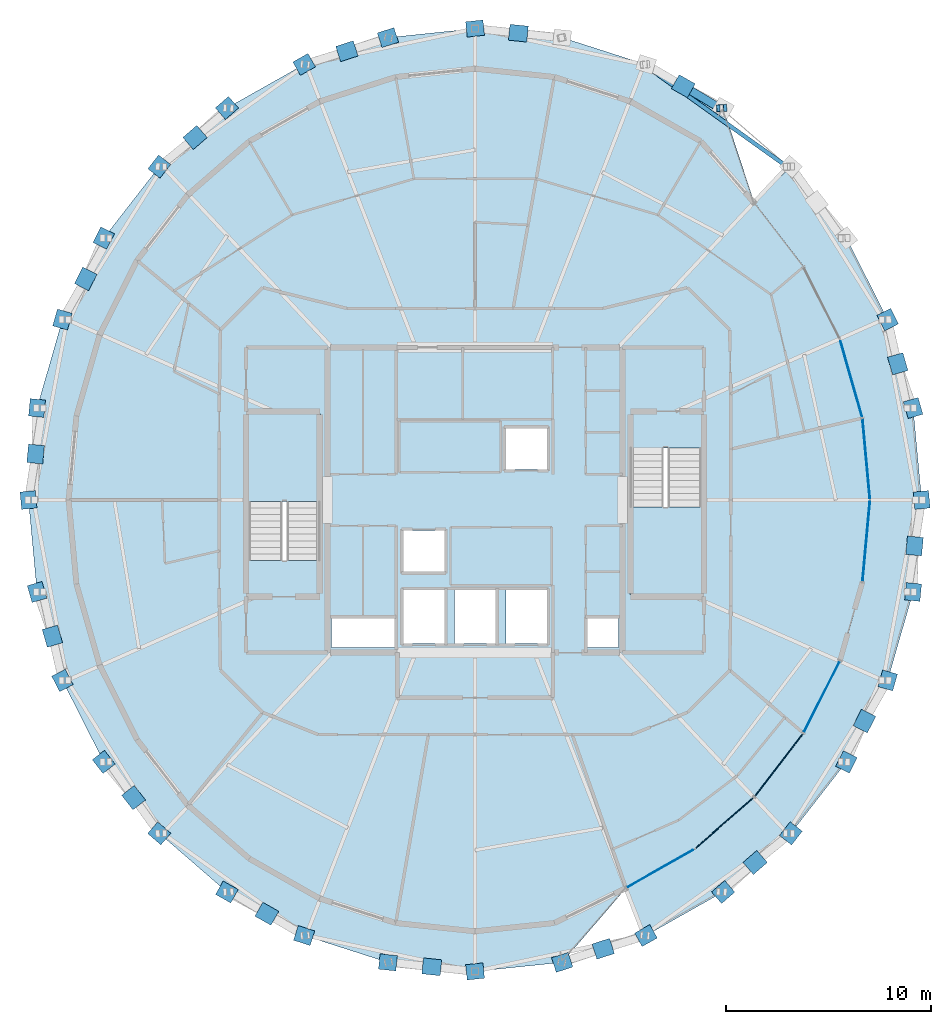
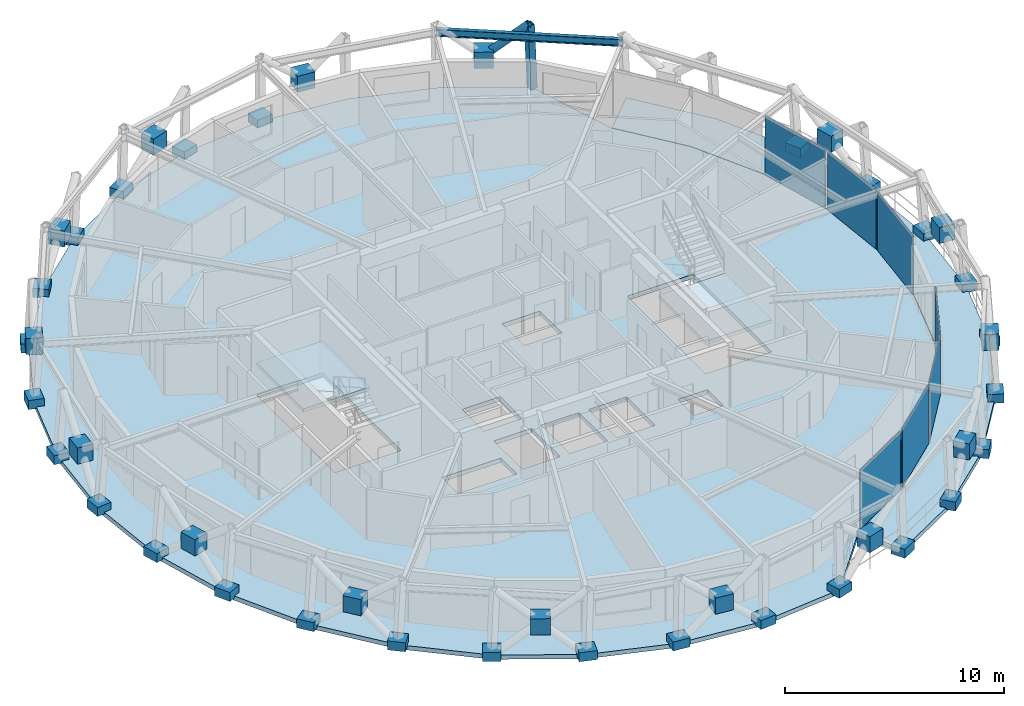
# One storey, part 9 of 15: 49 plates, 4 slabs, 2 members, 1 beam, 4 elements without a shape of their own.
"""IFC4 building model written with IfcOpenShell, lengths in metres."""

from ifc_helpers import new_model, si_unit, direction, frame, origin, origin_2d, place, context, subcontext, project, spatial, polyline, rectangle, hollow_rectangle, hollow_circle, i_section, outline, extrude, material, layer, layer_set, material_profile, profile_set, type_object, element, aggregate, save


model = new_model("IFC4")

# Units and contexts
model_context = context("Model", 3, precision=1e-05, world=origin(), true_north=direction((0.0, 1.0)))
body_context = subcontext(model_context, "Body", "Model", "MODEL_VIEW")
ifc_project = project(units=[si_unit("LENGTHUNIT", "METRE"), si_unit("AREAUNIT", "SQUARE_METRE"), si_unit("VOLUMEUNIT", "CUBIC_METRE"), si_unit("PLANEANGLEUNIT", "RADIAN"), si_unit("MASSUNIT", "GRAM", prefix="KILO")], contexts=[model_context])

# Site, building, storey
site_placement = place(None, origin())
site = spatial("IfcSite", under=ifc_project, at=site_placement, CompositionType="ELEMENT")
building_placement = place(site_placement, origin())
building = spatial("IfcBuilding", under=site, at=building_placement, Name="Veldorina Hangang Commons", CompositionType="ELEMENT")
storey_placement = place(building_placement, frame((0.0, 0.0, 265.199951171875)))
storey = spatial("IfcBuildingStorey", under=building, at=storey_placement, Name="L69", CompositionType="ELEMENT", Elevation=265.199951171875)

# Beam
ifc_material_1 = material(Name="Steel SM355-TMC", Category="steel")
ifc_material_profile_1 = material_profile(ifc_material_1, i_section(OverallWidth=0.199951171875, OverallDepth=0.39990234375, WebThickness=0.008056640625, FlangeThickness=0.012939453125, FilletRadius=0.012939453125, at=origin_2d()), Name="H-400x200x8x13")
ifc_profile_set_1 = profile_set([ifc_material_profile_1], Name="Steel SM355-TMC")
beam_type = type_object("IfcBeamType", Name="BM-RB400", PredefinedType="BEAM", material=ifc_profile_set_1)
beam_placement = place(storey_placement, frame((47.239013671875, 40.262451171875, 3.16015625), z_axis=(-0.814213450629, 0.580565635234, 0.0), x_axis=(-0.580565635234, -0.814213450629, 0.0)))
element("IfcBeam", 1, at=beam_placement, inside=storey, type_object=beam_type, Name="L69 perimeter hoop ring beam 04", PredefinedType="BEAM", context=body_context, shape_type="SweptSolid", body=[
    extrude(i_section(OverallWidth=0.199951171875, OverallDepth=0.39990234375, WebThickness=0.008056640625, FlangeThickness=0.012939453125, FilletRadius=0.012939453125, at=origin_2d()), origin(), (0.0, 0.0, 1.0), 8.587158203125),
])

# Members
ifc_material_profile_2 = material_profile(ifc_material_1, hollow_circle(Radius=0.199951171875, WallThickness=0.02001953125, at=origin_2d()), Name="CHS-400x20")
ifc_profile_set_2 = profile_set([ifc_material_profile_2], Name="Steel SM355-TMC")
member_type_1 = type_object("IfcMemberType", Name="DG-CHS400", PredefinedType="BRACE", material=ifc_profile_set_2)
member_1_placement = place(storey_placement, frame((42.162109375, 44.194091796875, 1.808837890625), z_axis=(0.651282743022, -0.389882339624, 0.651016551165), x_axis=(0.513635975997, 0.858008207514, 0.0)))
element("IfcMember", 2, at=member_1_placement, inside=storey, type_object=member_type_1, Name="L69 split perimeter diagrid upper brace 06", PredefinedType="BRACE", context=body_context, shape_type="SweptSolid", body=[
    extrude(hollow_circle(Radius=0.199951171875, WallThickness=0.02001953125, at=origin_2d()), origin(), (0.0, 0.0, 1.0), 2.75146484375),
])
ifc_material_profile_3 = material_profile(ifc_material_1, hollow_rectangle(XDim=0.35009765625, YDim=0.35009765625, WallThickness=0.01611328125, at=origin_2d()), Name="SHS-350x350x16")
ifc_profile_set_3 = profile_set([ifc_material_profile_3], Name="Steel SM355-TMC")
member_type_2 = type_object("IfcMemberType", Name="STR-SHS350", PredefinedType="STRUT", material=ifc_profile_set_3)
member_2_placement = place(storey_placement, frame((44.109375, 43.13134765625, 0.0), z_axis=(-0.043090113968, -0.002777821812, 0.999067327954), x_axis=(0.064331872556, -0.997928559654, 0.0)))
element("IfcMember", 3, at=member_2_placement, inside=storey, type_object=member_type_2, Name="L69 perimeter ring node post 05", PredefinedType="STRUT", context=body_context, shape_type="SweptSolid", body=[
    extrude(hollow_rectangle(XDim=0.35009765625, YDim=0.35009765625, WallThickness=0.01611328125, at=origin_2d()), origin(), (0.0, 0.0, 1.0), 3.603515625),
])

# Curtain wall, plates
ifc_material_2 = material(Name="Glass Low-E Selective", Category="glass")
ifc_layer_1 = layer(ifc_material_2, 0.179931640625)
ifc_layer_set_1 = layer_set([ifc_layer_1], Name="Glass Low-E Selective")
curtain_wall_type = type_object("IfcCurtainWallType", Name="CW-SYS-Z3", PredefinedType="NOTDEFINED", material=ifc_layer_set_1)
curtain_wall_1_placement = place(storey_placement, origin())
curtain_wall_1 = element("IfcCurtainWall", 4, at=curtain_wall_1_placement, inside=storey, type_object=curtain_wall_type, Name="L69 unitised curtain wall CW-L69-R1", PredefinedType="NOTDEFINED")
ifc_material_3 = material(Name="Glass Low-E Triple IGU", Category="glass")
ifc_layer_2 = layer(ifc_material_3, 0.0400390625)
ifc_layer_set_2 = layer_set([ifc_layer_2], Name="Glass Low-E Triple IGU")
plate_type_1 = type_object("IfcPlateType", Name="CW-PNL-VIS", PredefinedType="CURTAIN_PANEL", material=ifc_layer_set_2)
plate_1_placement = place(storey_placement, frame((41.043212890625, 6.01708984375, 0.01513671875), z_axis=(0.0, 0.0, 1.0), x_axis=(0.869469065578, 0.493987392555, 0.0)))
plate_1 = element("IfcPlate", 5, at=plate_1_placement, type_object=plate_type_1, Name="CW-L69-R1 facet 1 glazed vision panel", PredefinedType="CURTAIN_PANEL", context=body_context, shape_type="SweptSolid", body=[
    extrude(rectangle(XDim=3.65283203125, YDim=0.0400390625, at=origin_2d()), origin(), (0.0, 0.0, 1.0), 3.2900390625),
])
plate_2_placement = place(storey_placement, frame((44.169921875, 8.23779296875, 0.01513671875), z_axis=(0.0, 0.0, 1.0), x_axis=(0.753586338567, 0.657348941069, 0.0)))
plate_2 = element("IfcPlate", 6, at=plate_2_placement, type_object=plate_type_1, Name="CW-L69-R1 facet 2 glazed vision panel", PredefinedType="CURTAIN_PANEL", context=body_context, shape_type="SweptSolid", body=[
    extrude(rectangle(XDim=3.6962890625, YDim=0.0400390625, at=origin_2d()), origin(), (0.0, 0.0, 1.0), 3.2900390625),
])
plate_3_placement = place(storey_placement, frame((46.8291015625, 11.064453125, 0.01513671875), z_axis=(0.0, 0.0, 1.0), x_axis=(0.611126487654, 0.791532953254, 0.0)))
plate_3 = element("IfcPlate", 7, at=plate_3_placement, type_object=plate_type_1, Name="CW-L69-R1 facet 3 glazed vision panel", PredefinedType="CURTAIN_PANEL", context=body_context, shape_type="SweptSolid", body=[
    extrude(rectangle(XDim=3.74267578125, YDim=0.0400390625, at=origin_2d()), origin(), (0.0, 0.0, 1.0), 3.2900390625),
])
plate_4_placement = place(storey_placement, frame((48.91845703125, 14.387939453125, 0.01513671875), z_axis=(0.0, 0.0, 1.0), x_axis=(0.449287813798, 0.893387071975, 0.0)))
plate_4 = element("IfcPlate", 8, at=plate_4_placement, type_object=plate_type_1, Name="CW-L69-R1 facet 4 glazed vision panel", PredefinedType="CURTAIN_PANEL", context=body_context, shape_type="SweptSolid", body=[
    extrude(rectangle(XDim=3.784912109375, YDim=0.0400390625, at=origin_2d()), origin(), (0.0, 0.0, 1.0), 3.2900390625),
])
aggregate(curtain_wall_1, [plate_1, plate_2, plate_3, plate_4])

curtain_wall_2_placement = place(storey_placement, origin())
curtain_wall_2 = element("IfcCurtainWall", 9, at=curtain_wall_2_placement, inside=storey, type_object=curtain_wall_type, Name="L69 unitised curtain wall CW-L69-R2", PredefinedType="NOTDEFINED")
plate_5_placement = place(storey_placement, frame((51.09130859375, 22.00146484375, 0.01513671875), z_axis=(0.0, 0.0, 1.0), x_axis=(0.092266314894, 0.99573436575, 0.0)))
plate_5 = element("IfcPlate", 10, at=plate_5_placement, type_object=plate_type_1, Name="CW-L69-R2 facet 1 glazed vision panel", PredefinedType="CURTAIN_PANEL", context=body_context, shape_type="SweptSolid", body=[
    extrude(rectangle(XDim=3.834228515625, YDim=0.0400390625, at=origin_2d()), origin(), (0.0, 0.0, 1.0), 3.2900390625),
])
plate_6_placement = place(storey_placement, frame((51.09130859375, 25.99853515625, 0.01513671875), z_axis=(0.0, 0.0, 1.0), x_axis=(-0.092266314894, 0.99573436575, 0.0)))
plate_6 = element("IfcPlate", 11, at=plate_6_placement, type_object=plate_type_1, Name="CW-L69-R2 facet 2 glazed vision panel", PredefinedType="CURTAIN_PANEL", context=body_context, shape_type="SweptSolid", body=[
    extrude(rectangle(XDim=3.834228515625, YDim=0.0400390625, at=origin_2d()), origin(), (0.0, 0.0, 1.0), 3.2900390625),
])
plate_7_placement = place(storey_placement, frame((50.357666015625, 29.9189453125, 0.01513671875), z_axis=(0.0, 0.0, 1.0), x_axis=(-0.274429181428, 0.961607312982, 0.0)))
plate_7 = element("IfcPlate", 12, at=plate_7_placement, type_object=plate_type_1, Name="CW-L69-R2 facet 3 glazed vision panel", PredefinedType="CURTAIN_PANEL", context=body_context, shape_type="SweptSolid", body=[
    extrude(rectangle(XDim=3.817138671875, YDim=0.0400390625, at=origin_2d()), origin(), (0.0, 0.0, 1.0), 3.2900390625),
])
aggregate(curtain_wall_2, [plate_5, plate_6, plate_7])

# Plates
ifc_material_4 = material(Name="Steel SM460-TMC", Category="steel")
ifc_layer_3 = layer(ifc_material_4, 0.035888671875)
ifc_layer_set_3 = layer_set([ifc_layer_3], Name="Steel SM460-TMC")
plate_type_2 = type_object("IfcPlateType", Name="PL-STAR-36", PredefinedType="USERDEFINED", material=ifc_layer_set_3)
for number, where, z_axis, x_axis, name in (
    (13, (53.79638671875, 24.0, -0.08984375), (0.0, 0.0, 1.0), (-0.092891934994, 0.995676196569, 0.0), "L69 diagrid star-node gusset plate 00"),
    (14, (53.377685546875, 28.489013671875, -0.08984375), (0.0, 0.0, 1.0), (-0.27619095706, 0.961102780788, 0.0), "L69 diagrid star-node gusset plate 01"),
):
    element("IfcPlate", number, at=place(storey_placement, frame(where, z_axis=z_axis, x_axis=x_axis)), inside=storey, type_object=plate_type_2, Name=name, ObjectType="GUSSET PLATE", PredefinedType="USERDEFINED", context=body_context, shape_type="SweptSolid", body=[
        extrude(rectangle(XDim=0.85009765625, YDim=0.75, at=origin_2d()), origin(), (0.0, 0.0, 1.0), 0.5),
    ])
plate_8_placement = place(storey_placement, frame((52.627685546875, 30.646240234375, 1.351318359375), z_axis=(0.0, 0.0, 1.0), x_axis=(-0.27619095706, 0.961102780788, 0.0)))
element("IfcPlate", 15, at=plate_8_placement, inside=storey, type_object=plate_type_2, Name="L69 diagrid X-crossing star-node gusset plate 01", ObjectType="GUSSET PLATE", PredefinedType="USERDEFINED", context=body_context, shape_type="SweptSolid", body=[
    extrude(rectangle(XDim=0.89990234375, YDim=0.780029296875, at=origin_2d()), origin(), (0.0, 0.0, 1.0), 0.89990234375),
])
plate_9_placement = place(storey_placement, frame((52.13720703125, 32.80517578125, -0.08984375), z_axis=(0.0, 0.0, 1.0), x_axis=(-0.4517341537, 0.892152595906, 0.0)))
element("IfcPlate", 16, at=plate_9_placement, inside=storey, type_object=plate_type_2, Name="L69 diagrid star-node gusset plate 02", ObjectType="GUSSET PLATE", PredefinedType="USERDEFINED", context=body_context, shape_type="SweptSolid", body=[
    extrude(rectangle(XDim=0.85009765625, YDim=0.75, at=origin_2d()), origin(), (0.0, 0.0, 1.0), 0.5),
])
for number, where, z_axis, x_axis, name in (
    (17, (42.162109375, 44.194091796875, 1.35888671875), (0.0, 0.0, 1.0), (-0.870930926368, 0.491405455297, 0.0), "L69 diagrid X-crossing star-node gusset plate 05"),
    (18, (34.112548828125, 46.783447265625, 1.361572265625), (0.0, 0.0, 1.0), (-0.994638034319, 0.103417506668, 0.0), "L69 diagrid X-crossing star-node gusset plate 07"),
):
    element("IfcPlate", number, at=place(storey_placement, frame(where, z_axis=z_axis, x_axis=x_axis)), inside=storey, type_object=plate_type_2, Name=name, ObjectType="GUSSET PLATE", PredefinedType="USERDEFINED", context=body_context, shape_type="SweptSolid", body=[
        extrude(rectangle(XDim=0.89990234375, YDim=0.780029296875, at=origin_2d()), origin(), (0.0, 0.0, 1.0), 0.89990234375),
    ])
for number, where, z_axis, x_axis, name in (
    (19, (32.0, 47.009033203125, -0.08984375), (0.0, 0.0, 1.0), (-0.994638034319, -0.103417506668, 0.0), "L69 diagrid star-node gusset plate 08"),
    (20, (27.747802734375, 46.56689453125, -0.08984375), (0.0, 0.0, 1.0), (-0.952358546335, -0.30498065385, 0.0), "L69 diagrid star-node gusset plate 09"),
):
    element("IfcPlate", number, at=place(storey_placement, frame(where, z_axis=z_axis, x_axis=x_axis)), inside=storey, type_object=plate_type_2, Name=name, ObjectType="GUSSET PLATE", PredefinedType="USERDEFINED", context=body_context, shape_type="SweptSolid", body=[
        extrude(rectangle(XDim=0.85009765625, YDim=0.75, at=origin_2d()), origin(), (0.0, 0.0, 1.0), 0.5),
    ])
plate_10_placement = place(storey_placement, frame((25.7451171875, 45.90283203125, 1.360595703125), z_axis=(0.0, 0.0, 1.0), x_axis=(-0.952358546335, -0.30498065385, 0.0)))
element("IfcPlate", 21, at=plate_10_placement, inside=storey, type_object=plate_type_2, Name="L69 diagrid X-crossing star-node gusset plate 09", ObjectType="GUSSET PLATE", PredefinedType="USERDEFINED", context=body_context, shape_type="SweptSolid", body=[
    extrude(rectangle(XDim=0.89990234375, YDim=0.780029296875, at=origin_2d()), origin(), (0.0, 0.0, 1.0), 0.89990234375),
])
for number, where, z_axis, x_axis, name in (
    (22, (23.658935546875, 45.257568359375, -0.08984375), (0.0, 0.0, 1.0), (-0.870930926368, -0.491405455297, 0.0), "L69 diagrid star-node gusset plate 10"),
    (23, (19.890625, 43.13134765625, -0.08984375), (0.0, 0.0, 1.0), (-0.755819185983, -0.654780389215, 0.0), "L69 diagrid star-node gusset plate 11"),
):
    element("IfcPlate", number, at=place(storey_placement, frame(where, z_axis=z_axis, x_axis=x_axis)), inside=storey, type_object=plate_type_2, Name=name, ObjectType="GUSSET PLATE", PredefinedType="USERDEFINED", context=body_context, shape_type="SweptSolid", body=[
        extrude(rectangle(XDim=0.85009765625, YDim=0.75, at=origin_2d()), origin(), (0.0, 0.0, 1.0), 0.5),
    ])
plate_11_placement = place(storey_placement, frame((18.33203125, 41.69091796875, 1.35693359375), z_axis=(0.0, 0.0, 1.0), x_axis=(-0.755819185983, -0.654780389215, 0.0)))
element("IfcPlate", 24, at=plate_11_placement, inside=storey, type_object=plate_type_2, Name="L69 diagrid X-crossing star-node gusset plate 11", ObjectType="GUSSET PLATE", PredefinedType="USERDEFINED", context=body_context, shape_type="SweptSolid", body=[
    extrude(rectangle(XDim=0.89990234375, YDim=0.780029296875, at=origin_2d()), origin(), (0.0, 0.0, 1.0), 0.89990234375),
])
for number, where, z_axis, x_axis, name in (
    (25, (16.587646484375, 40.27001953125, -0.08984375), (0.0, 0.0, 1.0), (-0.613761724652, -0.789491320632, 0.0), "L69 diagrid star-node gusset plate 12"),
    (26, (13.876953125, 36.783203125, -0.08984375), (0.0, 0.0, 1.0), (-0.4517341537, -0.892152595906, 0.0), "L69 diagrid star-node gusset plate 13"),
):
    element("IfcPlate", number, at=place(storey_placement, frame(where, z_axis=z_axis, x_axis=x_axis)), inside=storey, type_object=plate_type_2, Name=name, ObjectType="GUSSET PLATE", PredefinedType="USERDEFINED", context=body_context, shape_type="SweptSolid", body=[
        extrude(rectangle(XDim=0.85009765625, YDim=0.75, at=origin_2d()), origin(), (0.0, 0.0, 1.0), 0.5),
    ])
plate_12_placement = place(storey_placement, frame((12.997802734375, 34.788818359375, 1.352783203125), z_axis=(0.0, 0.0, 1.0), x_axis=(-0.4517341537, -0.892152595906, 0.0)))
element("IfcPlate", 27, at=plate_12_placement, inside=storey, type_object=plate_type_2, Name="L69 diagrid X-crossing star-node gusset plate 13", ObjectType="GUSSET PLATE", PredefinedType="USERDEFINED", context=body_context, shape_type="SweptSolid", body=[
    extrude(rectangle(XDim=0.89990234375, YDim=0.780029296875, at=origin_2d()), origin(), (0.0, 0.0, 1.0), 0.89990234375),
])
for number, where, z_axis, x_axis, name in (
    (28, (11.86279296875, 32.80517578125, -0.08984375), (0.0, 0.0, 1.0), (-0.27619095706, -0.961102780788, 0.0), "L69 diagrid star-node gusset plate 14"),
    (29, (10.622314453125, 28.489013671875, -0.08984375), (0.0, 0.0, 1.0), (-0.092891934994, -0.995676196569, 0.0), "L69 diagrid star-node gusset plate 15"),
):
    element("IfcPlate", number, at=place(storey_placement, frame(where, z_axis=z_axis, x_axis=x_axis)), inside=storey, type_object=plate_type_2, Name=name, ObjectType="GUSSET PLATE", PredefinedType="USERDEFINED", context=body_context, shape_type="SweptSolid", body=[
        extrude(rectangle(XDim=0.85009765625, YDim=0.75, at=origin_2d()), origin(), (0.0, 0.0, 1.0), 0.5),
    ])
plate_13_placement = place(storey_placement, frame((10.552734375, 26.24365234375, 1.3505859375), z_axis=(0.0, 0.0, 1.0), x_axis=(-0.092891934994, -0.995676196569, 0.0)))
element("IfcPlate", 30, at=plate_13_placement, inside=storey, type_object=plate_type_2, Name="L69 diagrid X-crossing star-node gusset plate 15", ObjectType="GUSSET PLATE", PredefinedType="USERDEFINED", context=body_context, shape_type="SweptSolid", body=[
    extrude(rectangle(XDim=0.89990234375, YDim=0.780029296875, at=origin_2d()), origin(), (0.0, 0.0, 1.0), 0.89990234375),
])
for number, where, z_axis, x_axis, name in (
    (31, (10.20361328125, 24.0, -0.08984375), (0.0, 0.0, 1.0), (0.092891934994, -0.995676196569, 0.0), "L69 diagrid star-node gusset plate 16"),
    (32, (10.622314453125, 19.510986328125, -0.08984375), (0.0, 0.0, 1.0), (0.27619095706, -0.961102780788, 0.0), "L69 diagrid star-node gusset plate 17"),
):
    element("IfcPlate", number, at=place(storey_placement, frame(where, z_axis=z_axis, x_axis=x_axis)), inside=storey, type_object=plate_type_2, Name=name, ObjectType="GUSSET PLATE", PredefinedType="USERDEFINED", context=body_context, shape_type="SweptSolid", body=[
        extrude(rectangle(XDim=0.85009765625, YDim=0.75, at=origin_2d()), origin(), (0.0, 0.0, 1.0), 0.5),
    ])
plate_14_placement = place(storey_placement, frame((11.372314453125, 17.353759765625, 1.351318359375), z_axis=(0.0, 0.0, 1.0), x_axis=(0.27619095706, -0.961102780788, 0.0)))
element("IfcPlate", 33, at=plate_14_placement, inside=storey, type_object=plate_type_2, Name="L69 diagrid X-crossing star-node gusset plate 17", ObjectType="GUSSET PLATE", PredefinedType="USERDEFINED", context=body_context, shape_type="SweptSolid", body=[
    extrude(rectangle(XDim=0.89990234375, YDim=0.780029296875, at=origin_2d()), origin(), (0.0, 0.0, 1.0), 0.89990234375),
])
for number, where, z_axis, x_axis, name in (
    (34, (11.86279296875, 15.19482421875, -0.08984375), (0.0, 0.0, 1.0), (0.4517341537, -0.892152595906, 0.0), "L69 diagrid star-node gusset plate 18"),
    (35, (13.876953125, 11.216796875, -0.08984375), (0.0, 0.0, 1.0), (0.613761724652, -0.789491320632, 0.0), "L69 diagrid star-node gusset plate 19"),
):
    element("IfcPlate", number, at=place(storey_placement, frame(where, z_axis=z_axis, x_axis=x_axis)), inside=storey, type_object=plate_type_2, Name=name, ObjectType="GUSSET PLATE", PredefinedType="USERDEFINED", context=body_context, shape_type="SweptSolid", body=[
        extrude(rectangle(XDim=0.85009765625, YDim=0.75, at=origin_2d()), origin(), (0.0, 0.0, 1.0), 0.5),
    ])
plate_15_placement = place(storey_placement, frame((15.3349609375, 9.473388671875, 1.354736328125), z_axis=(0.0, 0.0, 1.0), x_axis=(0.613761724652, -0.789491320632, 0.0)))
element("IfcPlate", 36, at=plate_15_placement, inside=storey, type_object=plate_type_2, Name="L69 diagrid X-crossing star-node gusset plate 19", ObjectType="GUSSET PLATE", PredefinedType="USERDEFINED", context=body_context, shape_type="SweptSolid", body=[
    extrude(rectangle(XDim=0.89990234375, YDim=0.780029296875, at=origin_2d()), origin(), (0.0, 0.0, 1.0), 0.89990234375),
])
for number, where, z_axis, x_axis, name in (
    (37, (16.587646484375, 7.72998046875, -0.08984375), (0.0, 0.0, 1.0), (0.755819185983, -0.654780389215, 0.0), "L69 diagrid star-node gusset plate 20"),
    (38, (19.890625, 4.86865234375, -0.08984375), (0.0, 0.0, 1.0), (0.870930926368, -0.491405455297, 0.0), "L69 diagrid star-node gusset plate 21"),
):
    element("IfcPlate", number, at=place(storey_placement, frame(where, z_axis=z_axis, x_axis=x_axis)), inside=storey, type_object=plate_type_2, Name=name, ObjectType="GUSSET PLATE", PredefinedType="USERDEFINED", context=body_context, shape_type="SweptSolid", body=[
        extrude(rectangle(XDim=0.85009765625, YDim=0.75, at=origin_2d()), origin(), (0.0, 0.0, 1.0), 0.5),
    ])
plate_16_placement = place(storey_placement, frame((21.837890625, 3.805908203125, 1.35888671875), z_axis=(0.0, 0.0, 1.0), x_axis=(0.870930926368, -0.491405455297, 0.0)))
element("IfcPlate", 39, at=plate_16_placement, inside=storey, type_object=plate_type_2, Name="L69 diagrid X-crossing star-node gusset plate 21", ObjectType="GUSSET PLATE", PredefinedType="USERDEFINED", context=body_context, shape_type="SweptSolid", body=[
    extrude(rectangle(XDim=0.89990234375, YDim=0.780029296875, at=origin_2d()), origin(), (0.0, 0.0, 1.0), 0.89990234375),
])
for number, where, z_axis, x_axis, name in (
    (40, (23.658935546875, 2.742431640625, -0.08984375), (0.0, 0.0, 1.0), (0.952358546335, -0.30498065385, 0.0), "L69 diagrid star-node gusset plate 22"),
    (41, (27.747802734375, 1.43310546875, -0.08984375), (0.0, 0.0, 1.0), (0.994638034319, -0.103417506668, 0.0), "L69 diagrid star-node gusset plate 23"),
):
    element("IfcPlate", number, at=place(storey_placement, frame(where, z_axis=z_axis, x_axis=x_axis)), inside=storey, type_object=plate_type_2, Name=name, ObjectType="GUSSET PLATE", PredefinedType="USERDEFINED", context=body_context, shape_type="SweptSolid", body=[
        extrude(rectangle(XDim=0.85009765625, YDim=0.75, at=origin_2d()), origin(), (0.0, 0.0, 1.0), 0.5),
    ])
plate_17_placement = place(storey_placement, frame((29.887451171875, 1.216552734375, 1.361572265625), z_axis=(0.0, 0.0, 1.0), x_axis=(0.994638034319, -0.103417506668, 0.0)))
element("IfcPlate", 42, at=plate_17_placement, inside=storey, type_object=plate_type_2, Name="L69 diagrid X-crossing star-node gusset plate 23", ObjectType="GUSSET PLATE", PredefinedType="USERDEFINED", context=body_context, shape_type="SweptSolid", body=[
    extrude(rectangle(XDim=0.89990234375, YDim=0.780029296875, at=origin_2d()), origin(), (0.0, 0.0, 1.0), 0.89990234375),
])
for number, where, z_axis, x_axis, name in (
    (43, (32.0, 0.990966796875, -0.08984375), (0.0, 0.0, 1.0), (0.994638034319, 0.103417506668, 0.0), "L69 diagrid star-node gusset plate 24"),
    (44, (36.252197265625, 1.43310546875, -0.08984375), (0.0, 0.0, 1.0), (0.952358546335, 0.30498065385, 0.0), "L69 diagrid star-node gusset plate 25"),
):
    element("IfcPlate", number, at=place(storey_placement, frame(where, z_axis=z_axis, x_axis=x_axis)), inside=storey, type_object=plate_type_2, Name=name, ObjectType="GUSSET PLATE", PredefinedType="USERDEFINED", context=body_context, shape_type="SweptSolid", body=[
        extrude(rectangle(XDim=0.85009765625, YDim=0.75, at=origin_2d()), origin(), (0.0, 0.0, 1.0), 0.5),
    ])
plate_18_placement = place(storey_placement, frame((38.2548828125, 2.09716796875, 1.360595703125), z_axis=(0.0, 0.0, 1.0), x_axis=(0.952358546335, 0.30498065385, 0.0)))
element("IfcPlate", 45, at=plate_18_placement, inside=storey, type_object=plate_type_2, Name="L69 diagrid X-crossing star-node gusset plate 25", ObjectType="GUSSET PLATE", PredefinedType="USERDEFINED", context=body_context, shape_type="SweptSolid", body=[
    extrude(rectangle(XDim=0.89990234375, YDim=0.780029296875, at=origin_2d()), origin(), (0.0, 0.0, 1.0), 0.89990234375),
])
for number, where, z_axis, x_axis, name in (
    (46, (40.341064453125, 2.742431640625, -0.08984375), (0.0, 0.0, 1.0), (0.870930926368, 0.491405455297, 0.0), "L69 diagrid star-node gusset plate 26"),
    (47, (44.109375, 4.86865234375, -0.08984375), (0.0, 0.0, 1.0), (0.755819185983, 0.654780389215, 0.0), "L69 diagrid star-node gusset plate 27"),
):
    element("IfcPlate", number, at=place(storey_placement, frame(where, z_axis=z_axis, x_axis=x_axis)), inside=storey, type_object=plate_type_2, Name=name, ObjectType="GUSSET PLATE", PredefinedType="USERDEFINED", context=body_context, shape_type="SweptSolid", body=[
        extrude(rectangle(XDim=0.85009765625, YDim=0.75, at=origin_2d()), origin(), (0.0, 0.0, 1.0), 0.5),
    ])
plate_19_placement = place(storey_placement, frame((45.66796875, 6.30908203125, 1.35693359375), z_axis=(0.0, 0.0, 1.0), x_axis=(0.755819185983, 0.654780389215, 0.0)))
element("IfcPlate", 48, at=plate_19_placement, inside=storey, type_object=plate_type_2, Name="L69 diagrid X-crossing star-node gusset plate 27", ObjectType="GUSSET PLATE", PredefinedType="USERDEFINED", context=body_context, shape_type="SweptSolid", body=[
    extrude(rectangle(XDim=0.89990234375, YDim=0.780029296875, at=origin_2d()), origin(), (0.0, 0.0, 1.0), 0.89990234375),
])
for number, where, z_axis, x_axis, name in (
    (49, (47.412353515625, 7.72998046875, -0.08984375), (0.0, 0.0, 1.0), (0.613761724652, 0.789491320632, 0.0), "L69 diagrid star-node gusset plate 28"),
    (50, (50.123046875, 11.216796875, -0.08984375), (0.0, 0.0, 1.0), (0.4517341537, 0.892152595906, 0.0), "L69 diagrid star-node gusset plate 29"),
):
    element("IfcPlate", number, at=place(storey_placement, frame(where, z_axis=z_axis, x_axis=x_axis)), inside=storey, type_object=plate_type_2, Name=name, ObjectType="GUSSET PLATE", PredefinedType="USERDEFINED", context=body_context, shape_type="SweptSolid", body=[
        extrude(rectangle(XDim=0.85009765625, YDim=0.75, at=origin_2d()), origin(), (0.0, 0.0, 1.0), 0.5),
    ])
plate_20_placement = place(storey_placement, frame((51.002197265625, 13.211181640625, 1.352783203125), z_axis=(0.0, 0.0, 1.0), x_axis=(0.4517341537, 0.892152595906, 0.0)))
element("IfcPlate", 51, at=plate_20_placement, inside=storey, type_object=plate_type_2, Name="L69 diagrid X-crossing star-node gusset plate 29", ObjectType="GUSSET PLATE", PredefinedType="USERDEFINED", context=body_context, shape_type="SweptSolid", body=[
    extrude(rectangle(XDim=0.89990234375, YDim=0.780029296875, at=origin_2d()), origin(), (0.0, 0.0, 1.0), 0.89990234375),
])
for number, where, z_axis, x_axis, name in (
    (52, (52.13720703125, 15.19482421875, -0.08984375), (0.0, 0.0, 1.0), (0.27619095706, 0.961102780788, 0.0), "L69 diagrid star-node gusset plate 30"),
    (53, (53.377685546875, 19.510986328125, -0.08984375), (0.0, 0.0, 1.0), (0.092891934994, 0.995676196569, 0.0), "L69 diagrid star-node gusset plate 31"),
):
    element("IfcPlate", number, at=place(storey_placement, frame(where, z_axis=z_axis, x_axis=x_axis)), inside=storey, type_object=plate_type_2, Name=name, ObjectType="GUSSET PLATE", PredefinedType="USERDEFINED", context=body_context, shape_type="SweptSolid", body=[
        extrude(rectangle(XDim=0.85009765625, YDim=0.75, at=origin_2d()), origin(), (0.0, 0.0, 1.0), 0.5),
    ])
plate_21_placement = place(storey_placement, frame((53.447265625, 21.75634765625, 1.3505859375), z_axis=(0.0, 0.0, 1.0), x_axis=(0.092891934994, 0.995676196569, 0.0)))
element("IfcPlate", 54, at=plate_21_placement, inside=storey, type_object=plate_type_2, Name="L69 diagrid X-crossing star-node gusset plate 31", ObjectType="GUSSET PLATE", PredefinedType="USERDEFINED", context=body_context, shape_type="SweptSolid", body=[
    extrude(rectangle(XDim=0.89990234375, YDim=0.780029296875, at=origin_2d()), origin(), (0.0, 0.0, 1.0), 0.89990234375),
])

# Slabs
ifc_material_5 = material(Name="Concrete C40/50", Category="concrete")
ifc_layer_4 = layer(ifc_material_5, 0.239990234375)
ifc_layer_set_4 = layer_set([ifc_layer_4], Name="Concrete C40/50")
slab_type_1 = type_object("IfcSlabType", Name="SL-FLR-240", PredefinedType="FLOOR", material=ifc_layer_set_4)
slab_1_placement = place(storey_placement, frame((0.0, 0.0, -0.239990234375)))
element("IfcSlab", 55, at=slab_1_placement, inside=storey, type_object=slab_type_1, Name="L69 tower structural floor slab", PredefinedType="FLOOR", context=body_context, shape_type="SweptSolid", body=[
    extrude(outline(polyline([(51.2763671875, 24.0), (50.906005859375, 27.997314453125), (49.80908203125, 31.8408203125), (48.027587890625, 35.383056640625), (45.630615234375, 38.488037109375), (44.109375, 43.13134765625), (40.341064453125, 45.257568359375), (36.252197265625, 46.56689453125), (32.0, 47.009033203125), (27.747802734375, 46.56689453125), (23.658935546875, 45.257568359375), (19.890625, 43.13134765625), (16.587646484375, 40.27001953125), (13.876953125, 36.783203125), (11.86279296875, 32.80517578125), (10.622314453125, 28.489013671875), (10.20361328125, 24.0), (10.622314453125, 19.510986328125), (11.86279296875, 15.19482421875), (13.876953125, 11.216796875), (16.587646484375, 7.72998046875), (19.890625, 4.86865234375), (23.658935546875, 2.742431640625), (27.747802734375, 1.43310546875), (32.0, 0.990966796875), (36.252197265625, 1.43310546875), (39.376708984375, 5.070556640625), (42.70947265625, 6.9638671875), (45.630615234375, 9.511962890625), (48.027587890625, 12.616943359375), (49.80908203125, 16.1591796875), (50.906005859375, 20.002685546875), (51.2763671875, 24.0)]), holes=[polyline([(20.949951171875, 21.05810546875), (20.949951171875, 28.199951171875), (24.449951171875, 28.199951171875), (24.449951171875, 21.05810546875), (20.949951171875, 21.05810546875)]), polyline([(43.050048828125, 26.5419921875), (43.050048828125, 19.39990234375), (39.550048828125, 19.39990234375), (39.550048828125, 26.5419921875), (43.050048828125, 26.5419921875)]), polyline([(33.5, 27.5), (35.5, 27.5), (35.5, 25.5), (33.5, 25.5), (33.5, 27.5)]), polyline([(28.5, 22.5), (30.5, 22.5), (30.5, 20.5), (28.5, 20.5), (28.5, 22.5)]), polyline([(28.5, 19.60009765625), (30.5, 19.60009765625), (30.5, 17.0), (28.5, 17.0), (28.5, 19.60009765625)]), polyline([(31.0, 19.60009765625), (33.0, 19.60009765625), (33.0, 17.0), (31.0, 17.0), (31.0, 19.60009765625)]), polyline([(33.5, 19.60009765625), (35.5, 19.60009765625), (35.5, 17.0), (33.5, 17.0), (33.5, 19.60009765625)]), polyline([(25.0, 18.25), (28.10009765625, 18.25), (28.10009765625, 16.800048828125), (25.0, 16.800048828125), (25.0, 18.25)]), polyline([(37.449951171875, 18.25), (39.0, 18.25), (39.0, 16.800048828125), (37.449951171875, 16.800048828125), (37.449951171875, 18.25)])]), origin(), (0.0, 0.0, 1.0), 0.239990234375),
])
slab_2_placement = place(storey_placement, frame((0.0, 0.0, -0.239990234375)))
element("IfcSlab", 56, at=slab_2_placement, inside=storey, type_object=slab_type_1, Name="L69 sky-garden loggia outdoor slab", PredefinedType="FLOOR", context=body_context, shape_type="SweptSolid", body=[
    extrude(outline(polyline([(47.412353515625, 40.27001953125), (50.123046875, 36.783203125), (52.13720703125, 32.80517578125), (53.377685546875, 28.489013671875), (53.79638671875, 24.0), (53.377685546875, 19.510986328125), (52.13720703125, 15.19482421875), (50.123046875, 11.216796875), (47.412353515625, 7.72998046875), (44.109375, 4.86865234375), (40.341064453125, 2.742431640625), (39.38330078125, 5.054931640625), (39.386474609375, 5.05859375), (42.716796875, 6.950927734375), (42.718017578125, 6.95166015625), (42.71923828125, 6.95263671875), (45.640380859375, 9.500732421875), (45.641357421875, 9.501708984375), (45.642333984375, 9.502685546875), (48.03955078125, 12.607666015625), (48.040283203125, 12.60888671875), (48.041015625, 12.610107421875), (49.822509765625, 16.152587890625), (49.822998046875, 16.15380859375), (49.823486328125, 16.155029296875), (50.92041015625, 19.998779296875), (50.920654296875, 20.0), (50.9208984375, 20.00146484375), (51.291259765625, 23.99853515625), (51.29150390625, 24.0), (51.291259765625, 24.00146484375), (50.9208984375, 27.99853515625), (50.920654296875, 28.0), (50.92041015625, 28.001220703125), (49.823486328125, 31.844970703125), (49.822998046875, 31.84619140625), (49.822509765625, 31.847412109375), (48.041015625, 35.389892578125), (48.040283203125, 35.39111328125), (48.03955078125, 35.392333984375), (45.64404296875, 38.4951171875), (45.642333984375, 38.5), (47.412353515625, 40.27001953125)])), origin(), (0.0, 0.0, 1.0), 0.239990234375),
])

# Stair, slab
stair_type = type_object("IfcStairType", Name="STR-DOG-1650-20R", PredefinedType="HALF_TURN_STAIR", material=ifc_material_5)
stair_1_placement = place(storey_placement, origin())
stair_1 = element("IfcStair", 57, at=stair_1_placement, inside=storey, type_object=stair_type, Name="L69 Exit stair ST-1", PredefinedType="HALF_TURN_STAIR")
ifc_layer_5 = layer(ifc_material_5, 0.199951171875)
ifc_layer_set_5 = layer_set([ifc_layer_5], Name="Concrete C40/50")
slab_type_2 = type_object("IfcSlabType", Name="SL-LND-200", PredefinedType="LANDING", material=ifc_layer_set_5)
slab_3_placement = place(storey_placement, frame((0.0, 0.0, 1.60009765625)))
slab_3 = element("IfcSlab", 58, at=slab_3_placement, type_object=slab_type_2, Name="ST-1 landing 1", PredefinedType="LANDING", context=body_context, shape_type="SweptSolid", body=[
    extrude(outline(polyline([(24.449951171875, 23.929931640625), (24.449951171875, 28.199951171875), (20.949951171875, 28.199951171875), (20.949951171875, 23.929931640625), (24.449951171875, 23.929931640625)])), origin(), (0.0, 0.0, 1.0), 0.199951171875),
])
aggregate(stair_1, [slab_3])

stair_2_placement = place(storey_placement, origin())
stair_2 = element("IfcStair", 59, at=stair_2_placement, inside=storey, type_object=stair_type, Name="L69 Exit stair ST-2", PredefinedType="HALF_TURN_STAIR")
slab_4_placement = place(storey_placement, frame((0.0, 0.0, 1.60009765625)))
slab_4 = element("IfcSlab", 60, at=slab_4_placement, type_object=slab_type_2, Name="ST-2 landing 1", PredefinedType="LANDING", context=body_context, shape_type="SweptSolid", body=[
    extrude(outline(polyline([(39.550048828125, 23.669921875), (39.550048828125, 19.39990234375), (43.050048828125, 19.39990234375), (43.050048828125, 23.669921875), (39.550048828125, 23.669921875)])), origin(), (0.0, 0.0, 1.0), 0.199951171875),
])
aggregate(stair_2, [slab_4])

save(model, "model.ifc")
